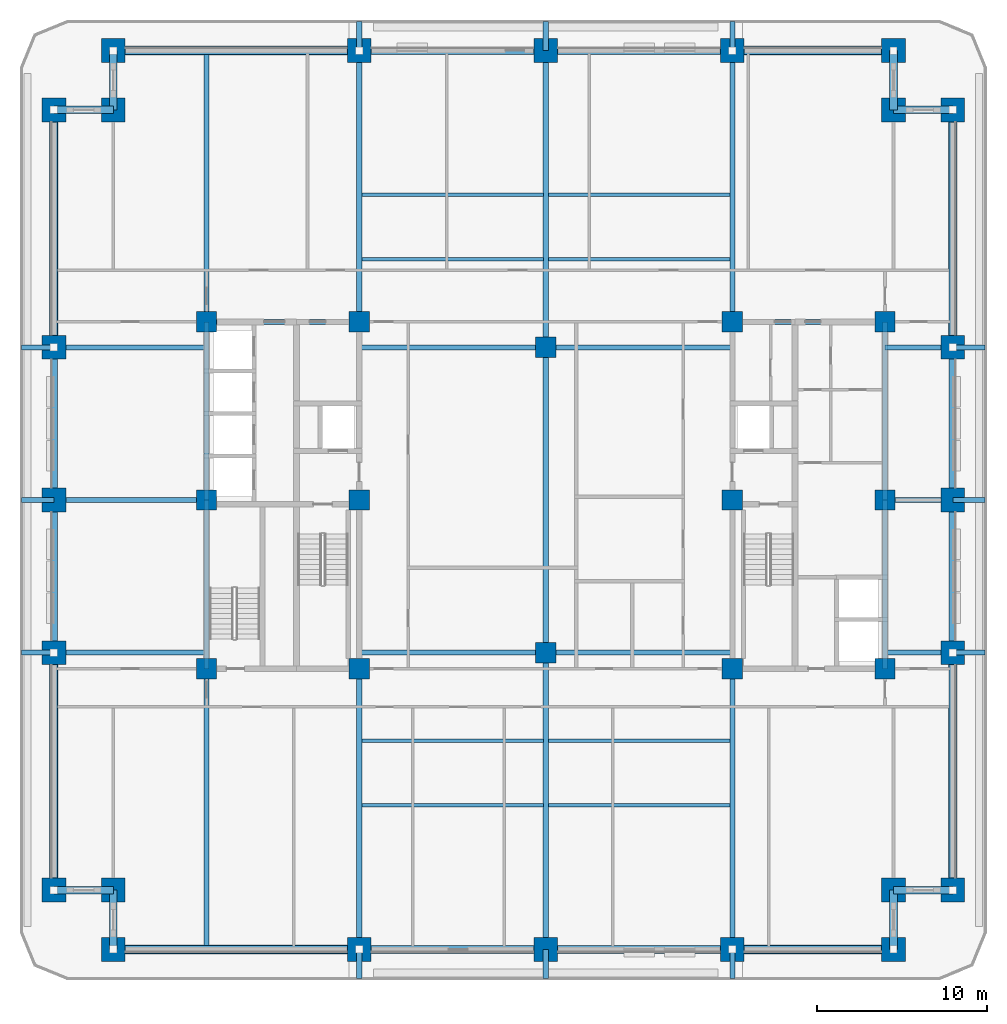
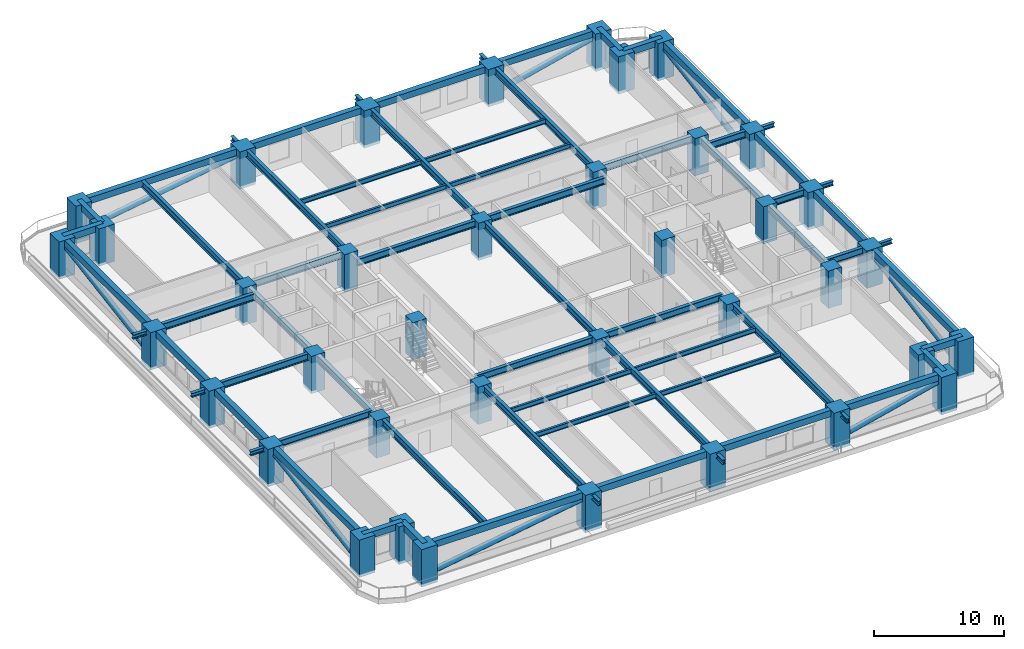
# One storey, part 1 of 16: 69 beams, 38 columns, 8 members.
"""IFC4 building model written with IfcOpenShell, lengths in metres."""

from ifc_helpers import new_model, si_unit, direction, frame, origin, origin_2d, place, context, subcontext, project, spatial, rectangle, hollow_circle, i_section, extrude, material, material_profile, profile_set, type_object, element, save


model = new_model("IFC4")

# Units and contexts
model_context = context("Model", 3, precision=1e-05, world=origin(), true_north=direction((0.0, 1.0)))
body_context = subcontext(model_context, "Body", "Model", "MODEL_VIEW")
ifc_project = project(units=[si_unit("LENGTHUNIT", "METRE"), si_unit("AREAUNIT", "SQUARE_METRE"), si_unit("VOLUMEUNIT", "CUBIC_METRE"), si_unit("PLANEANGLEUNIT", "RADIAN"), si_unit("MASSUNIT", "GRAM", prefix="KILO")], contexts=[model_context])

# Site, building, storey
site_placement = place(None, origin())
site = spatial("IfcSite", under=ifc_project, at=site_placement, CompositionType="ELEMENT")
building_placement = place(site_placement, origin())
building = spatial("IfcBuilding", under=site, at=building_placement, Name="Zulmaris Gate Convention Tower", CompositionType="ELEMENT")
storey_placement = place(building_placement, frame((0.0, 0.0, 67.89990234375)))
storey = spatial("IfcBuildingStorey", under=building, at=storey_placement, Name="L16", CompositionType="ELEMENT", Elevation=67.89990234375)

# Columns
ifc_material_1 = material(Name="Concrete C70/85", Category="concrete")
ifc_material_profile_1 = material_profile(ifc_material_1, rectangle(XDim=1.199951171875, YDim=1.199951171875, at=origin_2d()), Name="RC COL 1200x1200")
ifc_profile_set_1 = profile_set([ifc_material_profile_1], Name="Concrete C70/85")
column_type_1 = type_object("IfcColumnType", Name="COL-RC1200", PredefinedType="COLUMN", material=ifc_profile_set_1)
for number, where, z_axis, x_axis, name in (
    (1, (-20.0, -9.949951171875, -0.25), (0.0, 0.0, 1.0), (1.0, 0.0, 0.0), "L16 Column IN--20.00_-9.95"),
    (2, (-20.0, 10.5, -0.25), (0.0, 0.0, 1.0), (1.0, 0.0, 0.0), "L16 Column IN--20.00_+10.50"),
    (3, (-11.0, -9.949951171875, -0.25), (0.0, 0.0, 1.0), (1.0, 0.0, 0.0), "L16 Column IN--11.00_-9.95"),
    (4, (-11.0, 0.0, -0.25), (0.0, 0.0, 1.0), (1.0, 0.0, 0.0), "L16 Column IN--11.00_+0.00"),
    (5, (-11.0, 10.5, -0.25), (0.0, 0.0, 1.0), (1.0, 0.0, 0.0), "L16 Column IN--11.00_+10.50"),
    (6, (11.0, -9.949951171875, -0.25), (0.0, 0.0, 1.0), (1.0, 0.0, 0.0), "L16 Column IN-+11.00_-9.95"),
    (7, (11.0, 0.0, -0.25), (0.0, 0.0, 1.0), (1.0, 0.0, 0.0), "L16 Column IN-+11.00_+0.00"),
    (8, (11.0, 10.5, -0.25), (0.0, 0.0, 1.0), (1.0, 0.0, 0.0), "L16 Column IN-+11.00_+10.50"),
    (9, (20.0, -9.949951171875, -0.25), (0.0, 0.0, 1.0), (1.0, 0.0, 0.0), "L16 Column IN-+20.00_-9.95"),
    (10, (20.0, 10.5, -0.25), (0.0, 0.0, 1.0), (1.0, 0.0, 0.0), "L16 Column IN-+20.00_+10.50"),
    (11, (0.0, -9.0, -0.25), (0.0, 0.0, 1.0), (1.0, 0.0, 0.0), "L16 Column IN-+0.00_-9.00"),
    (12, (0.0, 9.0, -0.25), (0.0, 0.0, 1.0), (1.0, 0.0, 0.0), "L16 Column IN-+0.00_+9.00"),
    (13, (-20.0, 0.0, -0.25), (0.0, 0.0, 1.0), (1.0, 0.0, 0.0), "L16 Column IN--20.00_+0.00"),
    (14, (20.0, 0.0, -0.25), (0.0, 0.0, 1.0), (1.0, 0.0, 0.0), "L16 Column IN-+20.00_+0.00"),
):
    element("IfcColumn", number, at=place(storey_placement, frame(where, z_axis=z_axis, x_axis=x_axis)), inside=storey, type_object=column_type_1, Name=name, PredefinedType="COLUMN", context=body_context, shape_type="SweptSolid", body=[
        extrude(rectangle(XDim=1.199951171875, YDim=1.199951171875, at=origin_2d()), origin(), (0.0, 0.0, 1.0), 3.4951171875),
    ])
ifc_material_2 = material(Name="Concrete C80/95", Category="concrete")
ifc_material_profile_2 = material_profile(ifc_material_2, rectangle(XDim=1.39990234375, YDim=1.39990234375, at=origin_2d()), Name="RC COL 1400x1400")
ifc_profile_set_2 = profile_set([ifc_material_profile_2], Name="Concrete C80/95")
column_type_2 = type_object("IfcColumnType", Name="COL-RC1400", PredefinedType="COLUMN", material=ifc_profile_set_2)
for number, where, z_axis, x_axis, name in (
    (15, (-25.5, -26.5, -0.25), (0.0, 0.0, 1.0), (1.0, 0.0, 0.0), "L16 Column PT--25.50_-26.50"),
    (16, (-11.0, -26.5, -0.25), (0.0, 0.0, 1.0), (1.0, 0.0, 0.0), "L16 Column PT--11.00_-26.50"),
    (17, (0.0, -26.5, -0.25), (0.0, 0.0, 1.0), (1.0, 0.0, 0.0), "L16 Column PT-+0.00_-26.50"),
    (18, (11.0, -26.5, -0.25), (0.0, 0.0, 1.0), (1.0, 0.0, 0.0), "L16 Column PT-+11.00_-26.50"),
    (19, (20.5, -26.5, -0.25), (0.0, 0.0, 1.0), (1.0, 0.0, 0.0), "L16 Column PT-+20.50_-26.50"),
    (20, (-25.5, 26.5, -0.25), (0.0, 0.0, 1.0), (1.0, 0.0, 0.0), "L16 Column PT--25.50_+26.50"),
    (21, (-11.0, 26.5, -0.25), (0.0, 0.0, 1.0), (1.0, 0.0, 0.0), "L16 Column PT--11.00_+26.50"),
    (22, (0.0, 26.5, -0.25), (0.0, 0.0, 1.0), (1.0, 0.0, 0.0), "L16 Column PT-+0.00_+26.50"),
    (23, (11.0, 26.5, -0.25), (0.0, 0.0, 1.0), (1.0, 0.0, 0.0), "L16 Column PT-+11.00_+26.50"),
    (24, (20.5, 26.5, -0.25), (0.0, 0.0, 1.0), (1.0, 0.0, 0.0), "L16 Column PT-+20.50_+26.50"),
    (25, (-29.0, -23.0, -0.25), (0.0, 0.0, 1.0), (1.0, 0.0, 0.0), "L16 Column PT--29.00_-23.00"),
    (26, (-29.0, -9.0, -0.25), (0.0, 0.0, 1.0), (1.0, 0.0, 0.0), "L16 Column PT--29.00_-9.00"),
    (27, (-29.0, 0.0, -0.25), (0.0, 0.0, 1.0), (1.0, 0.0, 0.0), "L16 Column PT--29.00_+0.00"),
    (28, (-29.0, 9.0, -0.25), (0.0, 0.0, 1.0), (1.0, 0.0, 0.0), "L16 Column PT--29.00_+9.00"),
    (29, (-29.0, 23.0, -0.25), (0.0, 0.0, 1.0), (1.0, 0.0, 0.0), "L16 Column PT--29.00_+23.00"),
    (30, (24.0, -23.0, -0.25), (0.0, 0.0, 1.0), (1.0, 0.0, 0.0), "L16 Column PT-+24.00_-23.00"),
    (31, (24.0, -9.0, -0.25), (0.0, 0.0, 1.0), (1.0, 0.0, 0.0), "L16 Column PT-+24.00_-9.00"),
    (32, (24.0, 0.0, -0.25), (0.0, 0.0, 1.0), (1.0, 0.0, 0.0), "L16 Column PT-+24.00_+0.00"),
    (33, (24.0, 9.0, -0.25), (0.0, 0.0, 1.0), (1.0, 0.0, 0.0), "L16 Column PT-+24.00_+9.00"),
    (34, (24.0, 23.0, -0.25), (0.0, 0.0, 1.0), (1.0, 0.0, 0.0), "L16 Column PT-+24.00_+23.00"),
    (35, (-25.5, -23.0, -0.25), (0.0, 0.0, 1.0), (1.0, 0.0, 0.0), "L16 Column PT--25.50_-23.00"),
    (36, (20.5, -23.0, -0.25), (0.0, 0.0, 1.0), (1.0, 0.0, 0.0), "L16 Column PT-+20.50_-23.00"),
    (37, (20.5, 23.0, -0.25), (0.0, 0.0, 1.0), (1.0, 0.0, 0.0), "L16 Column PT-+20.50_+23.00"),
    (38, (-25.5, 23.0, -0.25), (0.0, 0.0, 1.0), (1.0, 0.0, 0.0), "L16 Column PT--25.50_+23.00"),
):
    element("IfcColumn", number, at=place(storey_placement, frame(where, z_axis=z_axis, x_axis=x_axis)), inside=storey, type_object=column_type_2, Name=name, PredefinedType="COLUMN", context=body_context, shape_type="SweptSolid", body=[
        extrude(rectangle(XDim=1.39990234375, YDim=1.39990234375, at=origin_2d()), origin(), (0.0, 0.0, 1.0), 3.4951171875),
    ])

# Beams
ifc_material_3 = material(Name="Steel S355", Category="steel")
ifc_material_profile_3 = material_profile(ifc_material_3, i_section(OverallWidth=0.300048828125, OverallDepth=0.39990234375, WebThickness=0.013427734375, FlangeThickness=0.02392578125, FilletRadius=0.027099609375, at=origin_2d()), Name="HEB 400")
ifc_profile_set_3 = profile_set([ifc_material_profile_3], Name="Steel S355")
beam_type_1 = type_object("IfcBeamType", Name="BM-HEB400", PredefinedType="BEAM", material=ifc_profile_set_3)
for number, where, z_axis, x_axis, name in (
    (39, (-11.0, -28.199951171875, 2.905029296875), (0.0, 1.0, 0.0), (-1.0, 0.0, 0.0), "L16 Beam TBRK-L16-S--11"),
    (40, (-11.0, 26.5, 2.905029296875), (0.0, 1.0, 0.0), (-1.0, 0.0, 0.0), "L16 Beam TBRK-L16-N--11"),
    (41, (0.0, -28.199951171875, 2.905029296875), (0.0, 1.0, 0.0), (-1.0, 0.0, 0.0), "L16 Beam TBRK-L16-S-+0"),
    (42, (0.0, 26.5, 2.905029296875), (0.0, 1.0, 0.0), (-1.0, 0.0, 0.0), "L16 Beam TBRK-L16-N-+0"),
    (43, (11.0, -28.199951171875, 2.905029296875), (0.0, 1.0, 0.0), (-1.0, 0.0, 0.0), "L16 Beam TBRK-L16-S-+11"),
    (44, (11.0, 26.5, 2.905029296875), (0.0, 1.0, 0.0), (-1.0, 0.0, 0.0), "L16 Beam TBRK-L16-N-+11"),
):
    element("IfcBeam", number, at=place(storey_placement, frame(where, z_axis=z_axis, x_axis=x_axis)), inside=storey, type_object=beam_type_1, Name=name, PredefinedType="BEAM", context=body_context, shape_type="SweptSolid", body=[
        extrude(i_section(OverallWidth=0.300048828125, OverallDepth=0.39990234375, WebThickness=0.013427734375, FlangeThickness=0.02392578125, FilletRadius=0.027099609375, at=origin_2d()), origin(), (0.0, 0.0, 1.0), 1.699951171875),
    ])
for number, where, z_axis, x_axis, name in (
    (45, (-30.89990234375, -9.0, 2.905029296875), (1.0, 0.0, 0.0), (0.0, 1.0, 0.0), "L16 Beam TBRK-L16-W--9"),
    (46, (24.0, -9.0, 2.905029296875), (1.0, 0.0, 0.0), (0.0, 1.0, 0.0), "L16 Beam TBRK-L16-E--9"),
    (47, (-30.89990234375, 0.0, 2.905029296875), (1.0, 0.0, 0.0), (0.0, 1.0, 0.0), "L16 Beam TBRK-L16-W-+0"),
    (48, (24.0, 0.0, 2.905029296875), (1.0, 0.0, 0.0), (0.0, 1.0, 0.0), "L16 Beam TBRK-L16-E-+0"),
    (49, (-30.89990234375, 9.0, 2.905029296875), (1.0, 0.0, 0.0), (0.0, 1.0, 0.0), "L16 Beam TBRK-L16-W-+9"),
    (50, (24.0, 9.0, 2.905029296875), (1.0, 0.0, 0.0), (0.0, 1.0, 0.0), "L16 Beam TBRK-L16-E-+9"),
):
    element("IfcBeam", number, at=place(storey_placement, frame(where, z_axis=z_axis, x_axis=x_axis)), inside=storey, type_object=beam_type_1, Name=name, PredefinedType="BEAM", context=body_context, shape_type="SweptSolid", body=[
        extrude(i_section(OverallWidth=0.300048828125, OverallDepth=0.39990234375, WebThickness=0.013427734375, FlangeThickness=0.02392578125, FilletRadius=0.027099609375, at=origin_2d()), origin(), (0.0, 0.0, 1.0), 1.89990234375),
    ])
ifc_material_profile_4 = material_profile(ifc_material_3, i_section(OverallWidth=0.300048828125, OverallDepth=0.64990234375, WebThickness=0.01611328125, FlangeThickness=0.031005859375, FilletRadius=0.027099609375, at=origin_2d()), Name="HEB 650")
ifc_profile_set_4 = profile_set([ifc_material_profile_4], Name="Steel S355")
beam_type_2 = type_object("IfcBeamType", Name="BM-HEB650", PredefinedType="BEAM", material=ifc_profile_set_4)
for number, where, z_axis, x_axis, name in (
    (51, (-11.0, -9.0, 2.918212890625), (1.0, 0.0, 0.0), (0.0, 1.0, 0.0), "L16 Beam BM-L16-G01"),
    (52, (0.0, -9.0, 2.918212890625), (1.0, 0.0, 0.0), (0.0, 1.0, 0.0), "L16 Beam BM-L16-G02"),
    (53, (-11.0, 9.0, 2.918212890625), (1.0, 0.0, 0.0), (0.0, 1.0, 0.0), "L16 Beam BM-L16-G03"),
    (54, (0.0, 9.0, 2.918212890625), (1.0, 0.0, 0.0), (0.0, 1.0, 0.0), "L16 Beam BM-L16-G04"),
):
    element("IfcBeam", number, at=place(storey_placement, frame(where, z_axis=z_axis, x_axis=x_axis)), inside=storey, type_object=beam_type_2, Name=name, PredefinedType="BEAM", context=body_context, shape_type="SweptSolid", body=[
        extrude(i_section(OverallWidth=0.300048828125, OverallDepth=0.64990234375, WebThickness=0.01611328125, FlangeThickness=0.031005859375, FilletRadius=0.027099609375, at=origin_2d()), origin(), (0.0, 0.0, 1.0), 11.0),
    ])
beam_1_placement = place(storey_placement, frame((0.0, -26.5, 2.918212890625), z_axis=(0.0, 1.0, 0.0), x_axis=(-1.0, 0.0, 0.0)))
element("IfcBeam", 55, at=beam_1_placement, inside=storey, type_object=beam_type_2, Name="L16 Beam BM-L16-G05", PredefinedType="BEAM", context=body_context, shape_type="SweptSolid", body=[
    extrude(i_section(OverallWidth=0.300048828125, OverallDepth=0.64990234375, WebThickness=0.01611328125, FlangeThickness=0.031005859375, FilletRadius=0.027099609375, at=origin_2d()), origin(), (0.0, 0.0, 1.0), 17.5),
])
beam_2_placement = place(storey_placement, frame((0.0, -9.0, 2.918212890625), z_axis=(0.0, 1.0, 0.0), x_axis=(-1.0, 0.0, 0.0)))
element("IfcBeam", 56, at=beam_2_placement, inside=storey, type_object=beam_type_2, Name="L16 Beam BM-L16-G06", PredefinedType="BEAM", context=body_context, shape_type="SweptSolid", body=[
    extrude(i_section(OverallWidth=0.300048828125, OverallDepth=0.64990234375, WebThickness=0.01611328125, FlangeThickness=0.031005859375, FilletRadius=0.027099609375, at=origin_2d()), origin(), (0.0, 0.0, 1.0), 18.0),
])
beam_3_placement = place(storey_placement, frame((0.0, 9.0, 2.918212890625), z_axis=(0.0, 1.0, 0.0), x_axis=(-1.0, 0.0, 0.0)))
element("IfcBeam", 57, at=beam_3_placement, inside=storey, type_object=beam_type_2, Name="L16 Beam BM-L16-G07", PredefinedType="BEAM", context=body_context, shape_type="SweptSolid", body=[
    extrude(i_section(OverallWidth=0.300048828125, OverallDepth=0.64990234375, WebThickness=0.01611328125, FlangeThickness=0.031005859375, FilletRadius=0.027099609375, at=origin_2d()), origin(), (0.0, 0.0, 1.0), 17.5),
])
beam_4_placement = place(storey_placement, frame((-11.0, -26.5, 2.918212890625), z_axis=(0.0, 1.0, 0.0), x_axis=(-1.0, 0.0, 0.0)))
element("IfcBeam", 58, at=beam_4_placement, inside=storey, type_object=beam_type_2, Name="L16 Beam BM-L16-G08", PredefinedType="BEAM", context=body_context, shape_type="SweptSolid", body=[
    extrude(i_section(OverallWidth=0.300048828125, OverallDepth=0.64990234375, WebThickness=0.01611328125, FlangeThickness=0.031005859375, FilletRadius=0.027099609375, at=origin_2d()), origin(), (0.0, 0.0, 1.0), 16.550048828125),
])
beam_5_placement = place(storey_placement, frame((-11.0, 10.5, 2.918212890625), z_axis=(0.0, 1.0, 0.0), x_axis=(-1.0, 0.0, 0.0)))
element("IfcBeam", 59, at=beam_5_placement, inside=storey, type_object=beam_type_2, Name="L16 Beam BM-L16-G09", PredefinedType="BEAM", context=body_context, shape_type="SweptSolid", body=[
    extrude(i_section(OverallWidth=0.300048828125, OverallDepth=0.64990234375, WebThickness=0.01611328125, FlangeThickness=0.031005859375, FilletRadius=0.027099609375, at=origin_2d()), origin(), (0.0, 0.0, 1.0), 16.0),
])
beam_6_placement = place(storey_placement, frame((11.0, -26.5, 2.918212890625), z_axis=(0.0, 1.0, 0.0), x_axis=(-1.0, 0.0, 0.0)))
element("IfcBeam", 60, at=beam_6_placement, inside=storey, type_object=beam_type_2, Name="L16 Beam BM-L16-G10", PredefinedType="BEAM", context=body_context, shape_type="SweptSolid", body=[
    extrude(i_section(OverallWidth=0.300048828125, OverallDepth=0.64990234375, WebThickness=0.01611328125, FlangeThickness=0.031005859375, FilletRadius=0.027099609375, at=origin_2d()), origin(), (0.0, 0.0, 1.0), 16.550048828125),
])
beam_7_placement = place(storey_placement, frame((11.0, 10.5, 2.918212890625), z_axis=(0.0, 1.0, 0.0), x_axis=(-1.0, 0.0, 0.0)))
element("IfcBeam", 61, at=beam_7_placement, inside=storey, type_object=beam_type_2, Name="L16 Beam BM-L16-G11", PredefinedType="BEAM", context=body_context, shape_type="SweptSolid", body=[
    extrude(i_section(OverallWidth=0.300048828125, OverallDepth=0.64990234375, WebThickness=0.01611328125, FlangeThickness=0.031005859375, FilletRadius=0.027099609375, at=origin_2d()), origin(), (0.0, 0.0, 1.0), 16.0),
])
beam_8_placement = place(storey_placement, frame((-20.0, -26.5, 2.918212890625), z_axis=(0.0, 1.0, 0.0), x_axis=(-1.0, 0.0, 0.0)))
element("IfcBeam", 62, at=beam_8_placement, inside=storey, type_object=beam_type_2, Name="L16 Beam BM-L16-G12", PredefinedType="BEAM", context=body_context, shape_type="SweptSolid", body=[
    extrude(i_section(OverallWidth=0.300048828125, OverallDepth=0.64990234375, WebThickness=0.01611328125, FlangeThickness=0.031005859375, FilletRadius=0.027099609375, at=origin_2d()), origin(), (0.0, 0.0, 1.0), 16.550048828125),
])
beam_9_placement = place(storey_placement, frame((-20.0, 10.5, 2.918212890625), z_axis=(0.0, 1.0, 0.0), x_axis=(-1.0, 0.0, 0.0)))
element("IfcBeam", 63, at=beam_9_placement, inside=storey, type_object=beam_type_2, Name="L16 Beam BM-L16-G13", PredefinedType="BEAM", context=body_context, shape_type="SweptSolid", body=[
    extrude(i_section(OverallWidth=0.300048828125, OverallDepth=0.64990234375, WebThickness=0.01611328125, FlangeThickness=0.031005859375, FilletRadius=0.027099609375, at=origin_2d()), origin(), (0.0, 0.0, 1.0), 16.0),
])
for number, where, z_axis, x_axis, name in (
    (64, (-29.0, -9.0, 2.918212890625), (1.0, 0.0, 0.0), (0.0, 1.0, 0.0), "L16 Beam BM-L16-G16"),
    (65, (-29.0, 0.0, 2.918212890625), (1.0, 0.0, 0.0), (0.0, 1.0, 0.0), "L16 Beam BM-L16-G17"),
    (66, (-29.0, 9.0, 2.918212890625), (1.0, 0.0, 0.0), (0.0, 1.0, 0.0), "L16 Beam BM-L16-G18"),
):
    element("IfcBeam", number, at=place(storey_placement, frame(where, z_axis=z_axis, x_axis=x_axis)), inside=storey, type_object=beam_type_2, Name=name, PredefinedType="BEAM", context=body_context, shape_type="SweptSolid", body=[
        extrude(i_section(OverallWidth=0.300048828125, OverallDepth=0.64990234375, WebThickness=0.01611328125, FlangeThickness=0.031005859375, FilletRadius=0.027099609375, at=origin_2d()), origin(), (0.0, 0.0, 1.0), 9.0),
    ])
for number, where, z_axis, x_axis, name in (
    (67, (20.0, -9.0, 2.918212890625), (1.0, 0.0, 0.0), (0.0, 1.0, 0.0), "L16 Beam BM-L16-G19"),
    (68, (20.0, 0.0, 2.918212890625), (1.0, 0.0, 0.0), (0.0, 1.0, 0.0), "L16 Beam BM-L16-G20"),
    (69, (20.0, 9.0, 2.918212890625), (1.0, 0.0, 0.0), (0.0, 1.0, 0.0), "L16 Beam BM-L16-G21"),
):
    element("IfcBeam", number, at=place(storey_placement, frame(where, z_axis=z_axis, x_axis=x_axis)), inside=storey, type_object=beam_type_2, Name=name, PredefinedType="BEAM", context=body_context, shape_type="SweptSolid", body=[
        extrude(i_section(OverallWidth=0.300048828125, OverallDepth=0.64990234375, WebThickness=0.01611328125, FlangeThickness=0.031005859375, FilletRadius=0.027099609375, at=origin_2d()), origin(), (0.0, 0.0, 1.0), 4.0),
    ])
for number, where, z_axis, x_axis, name in (
    (70, (-20.0, 10.5, 2.918212890625), (1.0, 0.0, 0.0), (0.0, 1.0, 0.0), "L16 Beam BM-L16-G23"),
    (71, (11.0, 10.5, 2.918212890625), (1.0, 0.0, 0.0), (0.0, 1.0, 0.0), "L16 Beam BM-L16-G25"),
):
    element("IfcBeam", number, at=place(storey_placement, frame(where, z_axis=z_axis, x_axis=x_axis)), inside=storey, type_object=beam_type_2, Name=name, PredefinedType="BEAM", context=body_context, shape_type="SweptSolid", body=[
        extrude(i_section(OverallWidth=0.300048828125, OverallDepth=0.64990234375, WebThickness=0.01611328125, FlangeThickness=0.031005859375, FilletRadius=0.027099609375, at=origin_2d()), origin(), (0.0, 0.0, 1.0), 9.0),
    ])
beam_10_placement = place(storey_placement, frame((-20.0, -9.949951171875, 2.918212890625), z_axis=(0.0, 1.0, 0.0), x_axis=(-1.0, 0.0, 0.0)))
element("IfcBeam", 72, at=beam_10_placement, inside=storey, type_object=beam_type_2, Name="L16 Beam BM-L16-G26", PredefinedType="BEAM", context=body_context, shape_type="SweptSolid", body=[
    extrude(i_section(OverallWidth=0.300048828125, OverallDepth=0.64990234375, WebThickness=0.01611328125, FlangeThickness=0.031005859375, FilletRadius=0.027099609375, at=origin_2d()), origin(), (0.0, 0.0, 1.0), 9.949951171875),
])
beam_11_placement = place(storey_placement, frame((-20.0, 0.0, 2.918212890625), z_axis=(0.0, 1.0, 0.0), x_axis=(-1.0, 0.0, 0.0)))
element("IfcBeam", 73, at=beam_11_placement, inside=storey, type_object=beam_type_2, Name="L16 Beam BM-L16-G27", PredefinedType="BEAM", context=body_context, shape_type="SweptSolid", body=[
    extrude(i_section(OverallWidth=0.300048828125, OverallDepth=0.64990234375, WebThickness=0.01611328125, FlangeThickness=0.031005859375, FilletRadius=0.027099609375, at=origin_2d()), origin(), (0.0, 0.0, 1.0), 10.5),
])
beam_12_placement = place(storey_placement, frame((20.0, -9.949951171875, 2.918212890625), z_axis=(0.0, 1.0, 0.0), x_axis=(-1.0, 0.0, 0.0)))
element("IfcBeam", 74, at=beam_12_placement, inside=storey, type_object=beam_type_2, Name="L16 Beam BM-L16-G28", PredefinedType="BEAM", context=body_context, shape_type="SweptSolid", body=[
    extrude(i_section(OverallWidth=0.300048828125, OverallDepth=0.64990234375, WebThickness=0.01611328125, FlangeThickness=0.031005859375, FilletRadius=0.027099609375, at=origin_2d()), origin(), (0.0, 0.0, 1.0), 9.949951171875),
])
beam_13_placement = place(storey_placement, frame((20.0, 0.0, 2.918212890625), z_axis=(0.0, 1.0, 0.0), x_axis=(-1.0, 0.0, 0.0)))
element("IfcBeam", 75, at=beam_13_placement, inside=storey, type_object=beam_type_2, Name="L16 Beam BM-L16-G29", PredefinedType="BEAM", context=body_context, shape_type="SweptSolid", body=[
    extrude(i_section(OverallWidth=0.300048828125, OverallDepth=0.64990234375, WebThickness=0.01611328125, FlangeThickness=0.031005859375, FilletRadius=0.027099609375, at=origin_2d()), origin(), (0.0, 0.0, 1.0), 10.5),
])
ifc_material_4 = material(Name="Precast concrete C50/60", Category="concrete")
ifc_material_profile_5 = material_profile(ifc_material_4, rectangle(XDim=0.449951171875, YDim=0.60009765625, at=origin_2d()), Name="RC SPANDREL 450x600")
ifc_profile_set_5 = profile_set([ifc_material_profile_5], Name="Precast concrete C50/60")
beam_type_3 = type_object("IfcBeamType", Name="BM-SP450x600", PredefinedType="SPANDREL", material=ifc_profile_set_5)
beam_14_placement = place(storey_placement, frame((-25.5, -26.5, 2.945068359375), z_axis=(1.0, 0.0, 0.0), x_axis=(0.0, 1.0, 0.0)))
element("IfcBeam", 76, at=beam_14_placement, inside=storey, type_object=beam_type_3, Name="L16 Spandrel SP-L16-01", PredefinedType="SPANDREL", context=body_context, shape_type="SweptSolid", body=[
    extrude(rectangle(XDim=0.449951171875, YDim=0.60009765625, at=origin_2d()), origin(), (0.0, 0.0, 1.0), 14.5),
])
for number, where, z_axis, x_axis, name in (
    (77, (-11.0, -26.5, 2.945068359375), (1.0, 0.0, 0.0), (0.0, 1.0, 0.0), "L16 Spandrel SP-L16-02"),
    (78, (0.0, -26.5, 2.945068359375), (1.0, 0.0, 0.0), (0.0, 1.0, 0.0), "L16 Spandrel SP-L16-03"),
):
    element("IfcBeam", number, at=place(storey_placement, frame(where, z_axis=z_axis, x_axis=x_axis)), inside=storey, type_object=beam_type_3, Name=name, PredefinedType="SPANDREL", context=body_context, shape_type="SweptSolid", body=[
        extrude(rectangle(XDim=0.449951171875, YDim=0.60009765625, at=origin_2d()), origin(), (0.0, 0.0, 1.0), 11.0),
    ])
beam_15_placement = place(storey_placement, frame((11.0, -26.5, 2.945068359375), z_axis=(1.0, 0.0, 0.0), x_axis=(0.0, 1.0, 0.0)))
element("IfcBeam", 79, at=beam_15_placement, inside=storey, type_object=beam_type_3, Name="L16 Spandrel SP-L16-04", PredefinedType="SPANDREL", context=body_context, shape_type="SweptSolid", body=[
    extrude(rectangle(XDim=0.449951171875, YDim=0.60009765625, at=origin_2d()), origin(), (0.0, 0.0, 1.0), 9.5),
])
for number, where, z_axis, x_axis, name in (
    (80, (20.5, -26.5, 2.945068359375), (0.0, 1.0, 0.0), (-1.0, 0.0, 0.0), "L16 Spandrel SP-L16-05"),
    (81, (20.5, -23.0, 2.945068359375), (1.0, 0.0, 0.0), (0.0, 1.0, 0.0), "L16 Spandrel SP-L16-06"),
):
    element("IfcBeam", number, at=place(storey_placement, frame(where, z_axis=z_axis, x_axis=x_axis)), inside=storey, type_object=beam_type_3, Name=name, PredefinedType="SPANDREL", context=body_context, shape_type="SweptSolid", body=[
        extrude(rectangle(XDim=0.449951171875, YDim=0.60009765625, at=origin_2d()), origin(), (0.0, 0.0, 1.0), 3.5),
    ])
beam_16_placement = place(storey_placement, frame((24.0, -23.0, 2.945068359375), z_axis=(0.0, 1.0, 0.0), x_axis=(-1.0, 0.0, 0.0)))
element("IfcBeam", 82, at=beam_16_placement, inside=storey, type_object=beam_type_3, Name="L16 Spandrel SP-L16-07", PredefinedType="SPANDREL", context=body_context, shape_type="SweptSolid", body=[
    extrude(rectangle(XDim=0.449951171875, YDim=0.60009765625, at=origin_2d()), origin(), (0.0, 0.0, 1.0), 14.0),
])
for number, where, z_axis, x_axis, name in (
    (83, (24.0, -9.0, 2.945068359375), (0.0, 1.0, 0.0), (-1.0, 0.0, 0.0), "L16 Spandrel SP-L16-08"),
    (84, (24.0, 0.0, 2.945068359375), (0.0, 1.0, 0.0), (-1.0, 0.0, 0.0), "L16 Spandrel SP-L16-09"),
):
    element("IfcBeam", number, at=place(storey_placement, frame(where, z_axis=z_axis, x_axis=x_axis)), inside=storey, type_object=beam_type_3, Name=name, PredefinedType="SPANDREL", context=body_context, shape_type="SweptSolid", body=[
        extrude(rectangle(XDim=0.449951171875, YDim=0.60009765625, at=origin_2d()), origin(), (0.0, 0.0, 1.0), 9.0),
    ])
beam_17_placement = place(storey_placement, frame((24.0, 9.0, 2.945068359375), z_axis=(0.0, 1.0, 0.0), x_axis=(-1.0, 0.0, 0.0)))
element("IfcBeam", 85, at=beam_17_placement, inside=storey, type_object=beam_type_3, Name="L16 Spandrel SP-L16-10", PredefinedType="SPANDREL", context=body_context, shape_type="SweptSolid", body=[
    extrude(rectangle(XDim=0.449951171875, YDim=0.60009765625, at=origin_2d()), origin(), (0.0, 0.0, 1.0), 14.0),
])
for number, where, z_axis, x_axis, name in (
    (86, (24.0, 23.0, 2.945068359375), (-1.0, 0.0, 0.0), (0.0, -1.0, 0.0), "L16 Spandrel SP-L16-11"),
    (87, (20.5, 23.0, 2.945068359375), (0.0, 1.0, 0.0), (-1.0, 0.0, 0.0), "L16 Spandrel SP-L16-12"),
):
    element("IfcBeam", number, at=place(storey_placement, frame(where, z_axis=z_axis, x_axis=x_axis)), inside=storey, type_object=beam_type_3, Name=name, PredefinedType="SPANDREL", context=body_context, shape_type="SweptSolid", body=[
        extrude(rectangle(XDim=0.449951171875, YDim=0.60009765625, at=origin_2d()), origin(), (0.0, 0.0, 1.0), 3.5),
    ])
beam_18_placement = place(storey_placement, frame((20.5, 26.5, 2.945068359375), z_axis=(-1.0, 0.0, 0.0), x_axis=(0.0, -1.0, 0.0)))
element("IfcBeam", 88, at=beam_18_placement, inside=storey, type_object=beam_type_3, Name="L16 Spandrel SP-L16-13", PredefinedType="SPANDREL", context=body_context, shape_type="SweptSolid", body=[
    extrude(rectangle(XDim=0.449951171875, YDim=0.60009765625, at=origin_2d()), origin(), (0.0, 0.0, 1.0), 9.5),
])
for number, where, z_axis, x_axis, name in (
    (89, (11.0, 26.5, 2.945068359375), (-1.0, 0.0, 0.0), (0.0, -1.0, 0.0), "L16 Spandrel SP-L16-14"),
    (90, (0.0, 26.5, 2.945068359375), (-1.0, 0.0, 0.0), (0.0, -1.0, 0.0), "L16 Spandrel SP-L16-15"),
):
    element("IfcBeam", number, at=place(storey_placement, frame(where, z_axis=z_axis, x_axis=x_axis)), inside=storey, type_object=beam_type_3, Name=name, PredefinedType="SPANDREL", context=body_context, shape_type="SweptSolid", body=[
        extrude(rectangle(XDim=0.449951171875, YDim=0.60009765625, at=origin_2d()), origin(), (0.0, 0.0, 1.0), 11.0),
    ])
beam_19_placement = place(storey_placement, frame((-11.0, 26.5, 2.945068359375), z_axis=(-1.0, 0.0, 0.0), x_axis=(0.0, -1.0, 0.0)))
element("IfcBeam", 91, at=beam_19_placement, inside=storey, type_object=beam_type_3, Name="L16 Spandrel SP-L16-16", PredefinedType="SPANDREL", context=body_context, shape_type="SweptSolid", body=[
    extrude(rectangle(XDim=0.449951171875, YDim=0.60009765625, at=origin_2d()), origin(), (0.0, 0.0, 1.0), 14.5),
])
for number, where, z_axis, x_axis, name in (
    (92, (-25.5, 26.5, 2.945068359375), (0.0, -1.0, 0.0), (1.0, 0.0, 0.0), "L16 Spandrel SP-L16-17"),
    (93, (-25.5, 23.0, 2.945068359375), (-1.0, 0.0, 0.0), (0.0, -1.0, 0.0), "L16 Spandrel SP-L16-18"),
):
    element("IfcBeam", number, at=place(storey_placement, frame(where, z_axis=z_axis, x_axis=x_axis)), inside=storey, type_object=beam_type_3, Name=name, PredefinedType="SPANDREL", context=body_context, shape_type="SweptSolid", body=[
        extrude(rectangle(XDim=0.449951171875, YDim=0.60009765625, at=origin_2d()), origin(), (0.0, 0.0, 1.0), 3.5),
    ])
beam_20_placement = place(storey_placement, frame((-29.0, 23.0, 2.945068359375), z_axis=(0.0, -1.0, 0.0), x_axis=(1.0, 0.0, 0.0)))
element("IfcBeam", 94, at=beam_20_placement, inside=storey, type_object=beam_type_3, Name="L16 Spandrel SP-L16-19", PredefinedType="SPANDREL", context=body_context, shape_type="SweptSolid", body=[
    extrude(rectangle(XDim=0.449951171875, YDim=0.60009765625, at=origin_2d()), origin(), (0.0, 0.0, 1.0), 14.0),
])
for number, where, z_axis, x_axis, name in (
    (95, (-29.0, 9.0, 2.945068359375), (0.0, -1.0, 0.0), (1.0, 0.0, 0.0), "L16 Spandrel SP-L16-20"),
    (96, (-29.0, 0.0, 2.945068359375), (0.0, -1.0, 0.0), (1.0, 0.0, 0.0), "L16 Spandrel SP-L16-21"),
):
    element("IfcBeam", number, at=place(storey_placement, frame(where, z_axis=z_axis, x_axis=x_axis)), inside=storey, type_object=beam_type_3, Name=name, PredefinedType="SPANDREL", context=body_context, shape_type="SweptSolid", body=[
        extrude(rectangle(XDim=0.449951171875, YDim=0.60009765625, at=origin_2d()), origin(), (0.0, 0.0, 1.0), 9.0),
    ])
beam_21_placement = place(storey_placement, frame((-29.0, -9.0, 2.945068359375), z_axis=(0.0, -1.0, 0.0), x_axis=(1.0, 0.0, 0.0)))
element("IfcBeam", 97, at=beam_21_placement, inside=storey, type_object=beam_type_3, Name="L16 Spandrel SP-L16-22", PredefinedType="SPANDREL", context=body_context, shape_type="SweptSolid", body=[
    extrude(rectangle(XDim=0.449951171875, YDim=0.60009765625, at=origin_2d()), origin(), (0.0, 0.0, 1.0), 14.0),
])
for number, where, z_axis, x_axis, name in (
    (98, (-29.0, -23.0, 2.945068359375), (1.0, 0.0, 0.0), (0.0, 1.0, 0.0), "L16 Spandrel SP-L16-23"),
    (99, (-25.5, -23.0, 2.945068359375), (0.0, -1.0, 0.0), (1.0, 0.0, 0.0), "L16 Spandrel SP-L16-24"),
):
    element("IfcBeam", number, at=place(storey_placement, frame(where, z_axis=z_axis, x_axis=x_axis)), inside=storey, type_object=beam_type_3, Name=name, PredefinedType="SPANDREL", context=body_context, shape_type="SweptSolid", body=[
        extrude(rectangle(XDim=0.449951171875, YDim=0.60009765625, at=origin_2d()), origin(), (0.0, 0.0, 1.0), 3.5),
    ])

# Members
ifc_material_5 = material(Name="Steel S460", Category="steel")
ifc_material_profile_6 = material_profile(ifc_material_5, hollow_circle(Radius=0.25390625, WallThickness=0.02490234375, at=origin_2d()), Name="CHS 508x25")
ifc_profile_set_6 = profile_set([ifc_material_profile_6], Name="Steel S460")
member_type = type_object("IfcMemberType", Name="BR-CHS508", PredefinedType="BRACE", material=ifc_profile_set_6)
for number, where, z_axis, x_axis, name in (
    (100, (-29.0, -23.0, 0.300048828125), (0.0, 0.986489535363, 0.163824285806), (-1.0, 0.0, 0.0), "L16 Perimeter Tube Diagonal SW-W"),
    (101, (-29.0, 9.0, 0.300048828125), (0.0, 0.986489535363, 0.163824285806), (-1.0, 0.0, 0.0), "L16 Perimeter Tube Diagonal NW-W"),
    (102, (24.0, -23.0, 0.300048828125), (0.0, 0.986489535363, 0.163824285806), (-1.0, 0.0, 0.0), "L16 Perimeter Tube Diagonal SE-E"),
    (103, (24.0, 9.0, 0.300048828125), (0.0, 0.986489535363, 0.163824285806), (-1.0, 0.0, 0.0), "L16 Perimeter Tube Diagonal NE-E"),
):
    element("IfcMember", number, at=place(storey_placement, frame(where, z_axis=z_axis, x_axis=x_axis)), inside=storey, type_object=member_type, Name=name, PredefinedType="BRACE", context=body_context, shape_type="SweptSolid", body=[
        extrude(hollow_circle(Radius=0.25390625, WallThickness=0.02490234375, at=origin_2d()), origin(), (0.0, 0.0, 1.0), 14.191650390625),
    ])
member_1_placement = place(storey_placement, frame((-25.5, -26.5, 0.300048828125), z_axis=(0.987387979125, 0.0, 0.158319230287), x_axis=(0.0, 1.0, 0.0)))
element("IfcMember", 104, at=member_1_placement, inside=storey, type_object=member_type, Name="L16 Perimeter Tube Diagonal SW-S", PredefinedType="BRACE", context=body_context, shape_type="SweptSolid", body=[
    extrude(hollow_circle(Radius=0.25390625, WallThickness=0.02490234375, at=origin_2d()), origin(), (0.0, 0.0, 1.0), 14.685302734375),
])
member_2_placement = place(storey_placement, frame((11.0, -26.5, 0.300048828125), z_axis=(0.971334610781, 0.0, 0.237716372802), x_axis=(0.0, 1.0, 0.0)))
element("IfcMember", 105, at=member_2_placement, inside=storey, type_object=member_type, Name="L16 Perimeter Tube Diagonal SE-S", PredefinedType="BRACE", context=body_context, shape_type="SweptSolid", body=[
    extrude(hollow_circle(Radius=0.25390625, WallThickness=0.02490234375, at=origin_2d()), origin(), (0.0, 0.0, 1.0), 9.7802734375),
])
member_3_placement = place(storey_placement, frame((-25.5, 26.5, 0.300048828125), z_axis=(0.987387979125, 0.0, 0.158319230287), x_axis=(0.0, 1.0, 0.0)))
element("IfcMember", 106, at=member_3_placement, inside=storey, type_object=member_type, Name="L16 Perimeter Tube Diagonal NW-N", PredefinedType="BRACE", context=body_context, shape_type="SweptSolid", body=[
    extrude(hollow_circle(Radius=0.25390625, WallThickness=0.02490234375, at=origin_2d()), origin(), (0.0, 0.0, 1.0), 14.685302734375),
])
member_4_placement = place(storey_placement, frame((11.0, 26.5, 0.300048828125), z_axis=(0.971334610781, 0.0, 0.237716372802), x_axis=(0.0, 1.0, 0.0)))
element("IfcMember", 107, at=member_4_placement, inside=storey, type_object=member_type, Name="L16 Perimeter Tube Diagonal NE-N", PredefinedType="BRACE", context=body_context, shape_type="SweptSolid", body=[
    extrude(hollow_circle(Radius=0.25390625, WallThickness=0.02490234375, at=origin_2d()), origin(), (0.0, 0.0, 1.0), 9.7802734375),
])

# Beams
ifc_material_profile_7 = material_profile(ifc_material_3, i_section(OverallWidth=0.18994140625, OverallDepth=0.449951171875, WebThickness=0.009521484375, FlangeThickness=0.0146484375, FilletRadius=0.02099609375, at=origin_2d()), Name="IPE 450")
ifc_profile_set_7 = profile_set([ifc_material_profile_7], Name="Steel S355")
beam_type_4 = type_object("IfcBeamType", Name="JT-IPE450", PredefinedType="JOIST", material=ifc_profile_set_7)
for number, where, z_axis, x_axis, name in (
    (108, (-10.85009765625, -18.0, 3.01806640625), (1.0, 0.0, 0.0), (0.0, 1.0, 0.0), "L16 Joist JT-L16-CW--18.0"),
    (109, (0.14990234375, -18.0, 3.01806640625), (1.0, 0.0, 0.0), (0.0, 1.0, 0.0), "L16 Joist JT-L16-CE--18.0"),
    (110, (-10.85009765625, -14.199951171875, 3.01806640625), (1.0, 0.0, 0.0), (0.0, 1.0, 0.0), "L16 Joist JT-L16-CW--14.2"),
    (111, (0.14990234375, -14.199951171875, 3.01806640625), (1.0, 0.0, 0.0), (0.0, 1.0, 0.0), "L16 Joist JT-L16-CE--14.2"),
    (112, (-10.85009765625, 14.199951171875, 3.01806640625), (1.0, 0.0, 0.0), (0.0, 1.0, 0.0), "L16 Joist JT-L16-CW-+14.2"),
    (113, (0.14990234375, 14.199951171875, 3.01806640625), (1.0, 0.0, 0.0), (0.0, 1.0, 0.0), "L16 Joist JT-L16-CE-+14.2"),
    (114, (-10.85009765625, 18.0, 3.01806640625), (1.0, 0.0, 0.0), (0.0, 1.0, 0.0), "L16 Joist JT-L16-CW-+18.0"),
    (115, (0.14990234375, 18.0, 3.01806640625), (1.0, 0.0, 0.0), (0.0, 1.0, 0.0), "L16 Joist JT-L16-CE-+18.0"),
):
    element("IfcBeam", number, at=place(storey_placement, frame(where, z_axis=z_axis, x_axis=x_axis)), inside=storey, type_object=beam_type_4, Name=name, PredefinedType="JOIST", context=body_context, shape_type="SweptSolid", body=[
        extrude(i_section(OverallWidth=0.18994140625, OverallDepth=0.449951171875, WebThickness=0.009521484375, FlangeThickness=0.0146484375, FilletRadius=0.02099609375, at=origin_2d()), origin(), (0.0, 0.0, 1.0), 10.7001953125),
    ])

save(model, "model.ifc")
